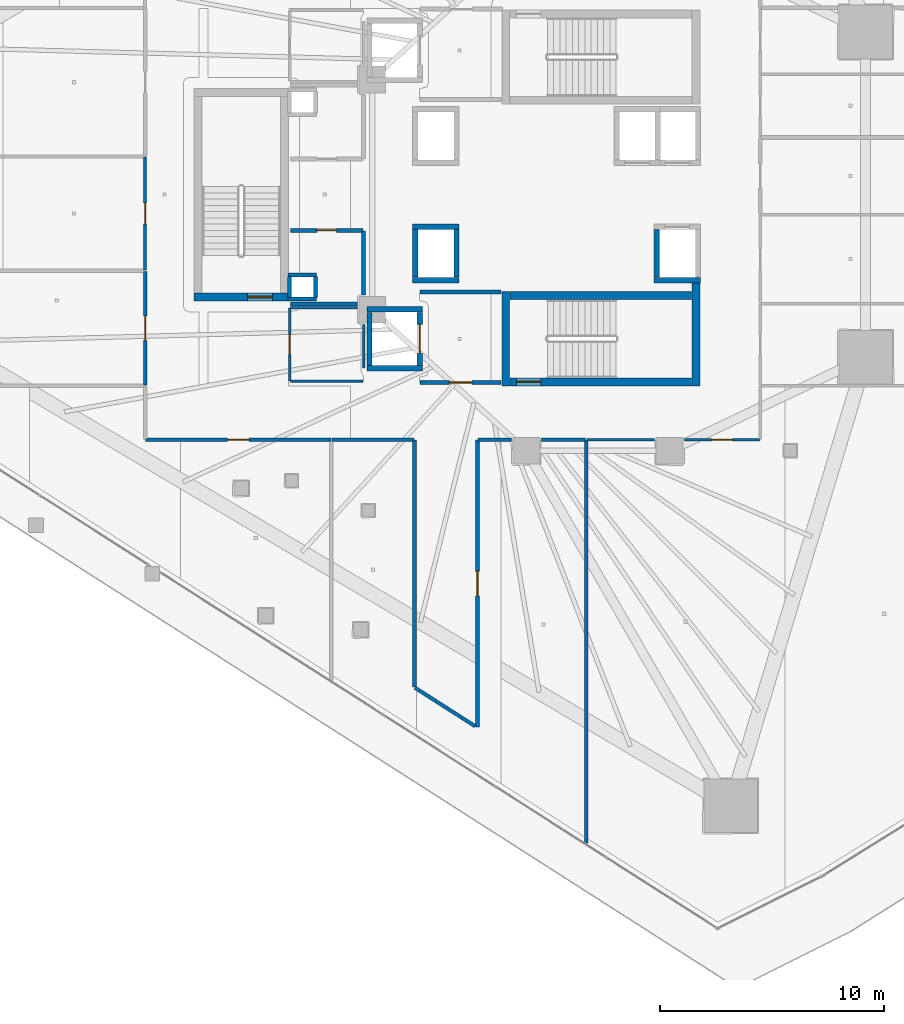
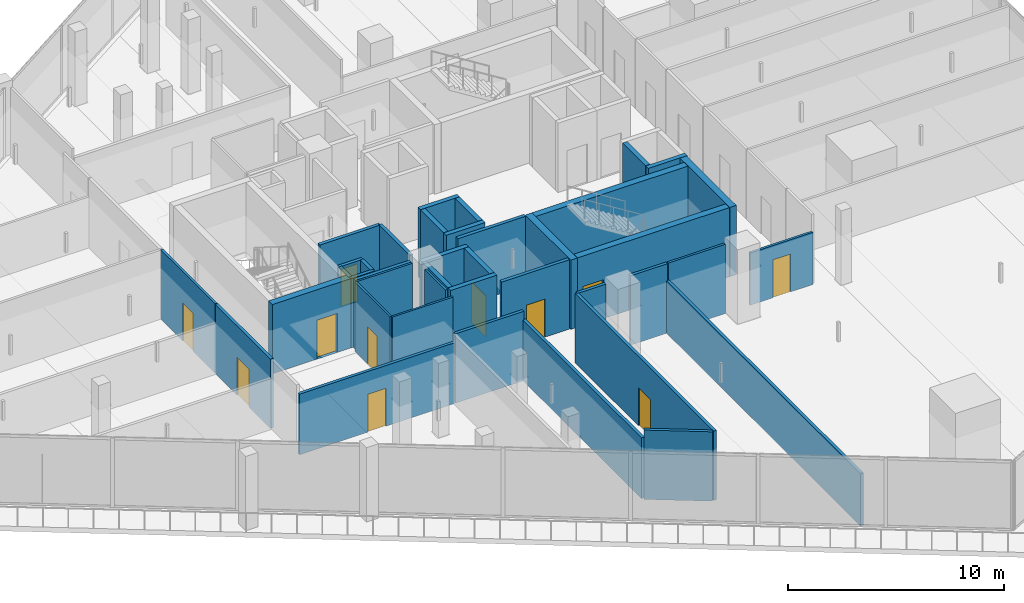
# One storey, part 28 of 44: 40 walls, 11 doors, 11 openings.
"""IFC4 building model written with IfcOpenShell, lengths in metres."""

from ifc_helpers import new_model, si_unit, direction, frame, frame_2d, origin, place, context, subcontext, project, spatial, rectangle, extrude, material, layer, layer_set, type_object, element, fill, save


model = new_model("IFC4")

# Units and contexts
model_context = context("Model", 3, precision=1e-05, world=origin(), true_north=direction((0.0, 1.0)))
body_context = subcontext(model_context, "Body", "Model", "MODEL_VIEW")
ifc_project = project(units=[si_unit("LENGTHUNIT", "METRE"), si_unit("AREAUNIT", "SQUARE_METRE"), si_unit("VOLUMEUNIT", "CUBIC_METRE"), si_unit("PLANEANGLEUNIT", "RADIAN"), si_unit("MASSUNIT", "GRAM", prefix="KILO")], contexts=[model_context])

# Site, building, storey
site_placement = place(None, origin())
site = spatial("IfcSite", under=ifc_project, at=site_placement, CompositionType="ELEMENT")
building_placement = place(site_placement, origin())
building = spatial("IfcBuilding", under=site, at=building_placement, Name="Qorvath Tower", CompositionType="ELEMENT")
storey_placement = place(building_placement, frame((0.0, 0.0, 57.60009765625)))
storey = spatial("IfcBuildingStorey", under=building, at=storey_placement, Name="L12", CompositionType="ELEMENT", Elevation=57.60009765625)

# Walls
ifc_material_1 = material(Name="Gypsum shaftliner on steel studs", Category="steel")
ifc_layer_1 = layer(ifc_material_1, 0.179931640625)
ifc_layer_set_1 = layer_set([ifc_layer_1], Name="FW-LOBBY")
wall_type_1 = type_object("IfcWallType", Name="FW-LOBBY", PredefinedType="PARTITIONING", material=ifc_layer_set_1)
for number, where, z_axis, x_axis, name in (
    (1, (-32.989990234375, -4.675048828125, 0.0), (0.0, 0.0, 1.0), (-1.0, 0.0, 0.0), "MEP Riser Shaft Enclosure Wall S-L12-S"),
    (2, (-34.260009765625, -3.594970703125, 0.0), (0.0, 0.0, 1.0), (1.0, 0.0, 0.0), "MEP Riser Shaft Enclosure Wall S-L12-N"),
):
    element("IfcWall", number, at=place(storey_placement, frame(where, z_axis=z_axis, x_axis=x_axis)), inside=storey, type_object=wall_type_1, Name=name, PredefinedType="PARTITIONING", context=body_context, shape_type="SweptSolid", body=[
        extrude(rectangle(XDim=1.27001953125, YDim=0.179931640625, at=frame_2d((0.635009765625, 0.0))), origin(), (0.0, 0.0, 1.0), 3.919921875),
    ])
for number, where, z_axis, x_axis, name in (
    (3, (-34.205078125, -4.610107421875, 0.0), (0.0, 0.0, 1.0), (0.0, 1.0, 0.0), "MEP Riser Shaft Enclosure Wall S-L12-W"),
    (4, (-33.044921875, -3.659912109375, 0.0), (0.0, 0.0, 1.0), (0.0, -1.0, 0.0), "MEP Riser Shaft Enclosure Wall S-L12-E"),
):
    element("IfcWall", number, at=place(storey_placement, frame(where, z_axis=z_axis, x_axis=x_axis)), inside=storey, type_object=wall_type_1, Name=name, PredefinedType="PARTITIONING", context=body_context, shape_type="SweptSolid", body=[
        extrude(rectangle(XDim=0.9501953125, YDim=0.179931640625, at=frame_2d((0.47509765625, 0.0))), origin(), (0.0, 0.0, 1.0), 3.919921875),
    ])

# Wall, opening, door
wall_1_placement = place(storey_placement, frame((-28.35498046875, -8.39990234375, 0.0), z_axis=(0.0, 0.0, 1.0), x_axis=(1.0, 0.0, 0.0)))
wall_1 = element("IfcWall", 5, at=wall_1_placement, inside=storey, type_object=wall_type_1, Name="Interior Partition IW-T1-L12-003", PredefinedType="PARTITIONING", context=body_context, shape_type="SweptSolid", body=[
    extrude(rectangle(XDim=3.6220703125, YDim=0.179931640625, at=frame_2d((1.81103515625, 0.0))), origin(), (0.0, 0.0, 1.0), 3.919921875),
])
opening_1_placement = place(wall_1_placement, frame((1.31103515625, 0.0, 0.0)))
opening_1 = element("IfcOpeningElement", 6, at=opening_1_placement, cuts=wall_1, Name="Opening D-T1-L12-20", PredefinedType="OPENING", context=body_context, shape_type="SweptSolid", body=[
    extrude(rectangle(XDim=1.0, YDim=2.14990234375, at=frame_2d((0.5, 1.074951171875))), frame((0.0, 0.10009765625, 0.0), z_axis=(0.0, -1.0, 0.0), x_axis=(1.0, 0.0, 0.0)), (0.0, 0.0, 1.0), 0.199951171875),
])
ifc_material_2 = material(Name="Painted galvanised hollow metal", Category="steel")
door_type_1 = type_object("IfcDoorType", Name="FD-60", OperationType="NOTDEFINED", PredefinedType="DOOR", material=ifc_material_2)
door_1_placement = place(opening_1_placement, origin())
door_1 = element("IfcDoor", 7, at=door_1_placement, inside=storey, type_object=door_type_1, Name="Lobby Fire Service Elevator South Door D-T1-L12-20", OperationType="SINGLE_SWING_RIGHT", OverallHeight=2.14990234375, OverallWidth=1.0, PredefinedType="DOOR", context=body_context, shape_type="SweptSolid", body=[
    extrude(rectangle(XDim=1.0, YDim=2.14990234375, at=frame_2d((0.5, 1.074951171875))), frame((0.0, 0.02490234375, 0.0), z_axis=(0.0, -1.0, 0.0), x_axis=(1.0, 0.0, 0.0)), (0.0, 0.0, 1.0), 0.050048828125),
])
fill(opening_1, door_1)

# Walls
wall_2_placement = place(storey_placement, frame((-24.73291015625, -4.35009765625, 0.0), z_axis=(0.0, 0.0, 1.0), x_axis=(-1.0, 0.0, 0.0)))
element("IfcWall", 8, at=wall_2_placement, inside=storey, type_object=wall_type_1, Name="Interior Partition IW-T1-L12-004", PredefinedType="PARTITIONING", context=body_context, shape_type="SweptSolid", body=[
    extrude(rectangle(XDim=3.6220703125, YDim=0.179931640625, at=frame_2d((1.81103515625, 0.0))), origin(), (0.0, 0.0, 1.0), 3.919921875),
])
wall_3_placement = place(storey_placement, frame((-34.15478515625, -4.89990234375, 0.0), z_axis=(0.0, 0.0, 1.0), x_axis=(1.0, 0.0, 0.0)))
element("IfcWall", 9, at=wall_3_placement, inside=storey, type_object=wall_type_1, Name="Interior Partition IW-T1-L12-016", PredefinedType="PARTITIONING", context=body_context, shape_type="SweptSolid", body=[
    extrude(rectangle(XDim=2.98974609375, YDim=0.179931640625, at=frame_2d((1.494873046875, 0.0))), origin(), (0.0, 0.0, 1.0), 3.919921875),
])
wall_4_placement = place(storey_placement, frame((-30.8798828125, -4.485107421875, 0.0), z_axis=(0.0, 0.0, 1.0), x_axis=(0.0, 1.0, 0.0)))
element("IfcWall", 10, at=wall_4_placement, inside=storey, type_object=wall_type_1, Name="Interior Partition IW-T1-L12-017", PredefinedType="PARTITIONING", context=body_context, shape_type="SweptSolid", body=[
    extrude(rectangle(XDim=2.860107421875, YDim=0.179931640625, at=frame_2d((1.43017578125, 0.0))), origin(), (0.0, 0.0, 1.0), 3.919921875),
])

# Wall, opening, door
wall_5_placement = place(storey_placement, frame((-30.90478515625, -1.60009765625, 0.0), z_axis=(0.0, 0.0, 1.0), x_axis=(-1.0, 0.0, 0.0)))
wall_5 = element("IfcWall", 11, at=wall_5_placement, inside=storey, type_object=wall_type_1, Name="Interior Partition IW-T1-L12-018", PredefinedType="PARTITIONING", context=body_context, shape_type="SweptSolid", body=[
    extrude(rectangle(XDim=3.25, YDim=0.179931640625, at=frame_2d((1.625, 0.0))), origin(), (0.0, 0.0, 1.0), 3.919921875),
])
opening_2_placement = place(wall_5_placement, frame((1.18505859375, 0.0, 0.0)))
opening_2 = element("IfcOpeningElement", 12, at=opening_2_placement, cuts=wall_5, Name="Opening D-T1-L12-04", PredefinedType="OPENING", context=body_context, shape_type="SweptSolid", body=[
    extrude(rectangle(XDim=0.8798828125, YDim=2.10009765625, at=frame_2d((0.43994140625, 1.050048828125))), frame((0.0, 0.10009765625, 0.0), z_axis=(0.0, -1.0, 0.0), x_axis=(1.0, 0.0, 0.0)), (0.0, 0.0, 1.0), 0.199951171875),
])
ifc_material_3 = material(Name="Painted galvanised hollow metal", Category="steel")
door_type_2 = type_object("IfcDoorType", Name="FD-60N", OperationType="NOTDEFINED", PredefinedType="DOOR", material=ifc_material_3)
door_2_placement = place(opening_2_placement, origin())
door_2 = element("IfcDoor", 13, at=door_2_placement, inside=storey, type_object=door_type_2, Name="Core electrical room L12 Door D-T1-L12-04", OperationType="SINGLE_SWING_RIGHT", OverallHeight=2.10009765625, OverallWidth=0.8798828125, PredefinedType="DOOR", context=body_context, shape_type="SweptSolid", body=[
    extrude(rectangle(XDim=0.8798828125, YDim=2.10009765625, at=frame_2d((0.43994140625, 1.050048828125))), frame((0.0, 0.02490234375, 0.0), z_axis=(0.0, -1.0, 0.0), x_axis=(1.0, 0.0, 0.0)), (0.0, 0.0, 1.0), 0.050048828125),
])
fill(opening_2, door_2)

ifc_material_4 = material(Name="Double acoustic gypsum board on steel studs", Category="steel")
ifc_layer_2 = layer(ifc_material_4, 0.159912109375)
ifc_layer_set_2 = layer_set([ifc_layer_2], Name="IW-ACOUSTIC-160")
wall_type_2 = type_object("IfcWallType", Name="IW-ACOUSTIC-160", PredefinedType="PARTITIONING", material=ifc_layer_set_2)
wall_6_placement = place(storey_placement, frame((-32.351806640625, -10.9580078125, 0.0), z_axis=(0.0, 0.0, 1.0), x_axis=(-1.0, 0.0, 0.0)))
wall_6 = element("IfcWall", 14, at=wall_6_placement, inside=storey, type_object=wall_type_2, Name="Interior Partition IW-T1-L12-034", PredefinedType="PARTITIONING", context=body_context, shape_type="SweptSolid", body=[
    extrude(rectangle(XDim=8.28125, YDim=0.159912109375, at=frame_2d((4.140625, 0.0))), origin(), (0.0, 0.0, 1.0), 3.432861328125),
])
opening_3_placement = place(wall_6_placement, frame((3.665771484375, 0.0, 0.0)))
opening_3 = element("IfcOpeningElement", 15, at=opening_3_placement, cuts=wall_6, Name="Opening D-T1-L12-08", PredefinedType="OPENING", context=body_context, shape_type="SweptSolid", body=[
    extrude(rectangle(XDim=0.949951171875, YDim=2.14990234375, at=frame_2d((0.47509765625, 1.074951171875))), frame((0.0, 0.08984375, 0.0), z_axis=(0.0, -1.0, 0.0), x_axis=(1.0, 0.0, 0.0)), (0.0, 0.0, 1.0), 0.179931640625),
])
ifc_material_5 = material(Name="Solid-core American white oak veneer", Category="wood")
door_type_3 = type_object("IfcDoorType", Name="D-01", OperationType="NOTDEFINED", PredefinedType="DOOR", material=ifc_material_5)
door_3_placement = place(opening_3_placement, origin())
door_3 = element("IfcDoor", 16, at=door_3_placement, inside=storey, type_object=door_type_3, Name="L12-05 Breakout Reading Alcove Door D-T1-L12-08", OperationType="SINGLE_SWING_RIGHT", OverallHeight=2.14990234375, OverallWidth=0.949951171875, PredefinedType="DOOR", context=body_context, shape_type="SweptSolid", body=[
    extrude(rectangle(XDim=0.949951171875, YDim=2.14990234375, at=frame_2d((0.47509765625, 1.074951171875))), frame((0.0, 0.02490234375, 0.0), z_axis=(0.0, -1.0, 0.0), x_axis=(1.0, 0.0, 0.0)), (0.0, 0.0, 1.0), 0.050048828125),
])
fill(opening_3, door_3)

# Wall
wall_7_placement = place(storey_placement, frame((-24.264892578125, -10.9580078125, 0.0), z_axis=(0.0, 0.0, 1.0), x_axis=(-1.0, 0.0, 0.0)))
element("IfcWall", 17, at=wall_7_placement, inside=storey, type_object=wall_type_2, Name="Interior Partition IW-T1-L12-038", PredefinedType="PARTITIONING", context=body_context, shape_type="SweptSolid", body=[
    extrude(rectangle(XDim=1.502197265625, YDim=0.159912109375, at=frame_2d((0.7509765625, 0.0))), origin(), (0.0, 0.0, 1.0), 3.919921875),
])

# Wall, opening, door
wall_8_placement = place(storey_placement, frame((-25.7919921875, -23.81396484375, 0.0), z_axis=(0.0, 0.0, 1.0), x_axis=(0.0, 1.0, 0.0)))
wall_8 = element("IfcWall", 18, at=wall_8_placement, inside=storey, type_object=wall_type_2, Name="Interior Partition IW-T1-L12-039", PredefinedType="PARTITIONING", context=body_context, shape_type="SweptSolid", body=[
    extrude(rectangle(XDim=12.8310546875, YDim=0.159912109375, at=frame_2d((6.41552734375, 0.0))), origin(), (0.0, 0.0, 1.0), 3.919921875),
])
opening_4_placement = place(wall_8_placement, frame((5.865478515625, 0.0, 0.0)))
opening_4 = element("IfcOpeningElement", 19, at=opening_4_placement, cuts=wall_8, Name="Opening D-T1-L12-09", PredefinedType="OPENING", context=body_context, shape_type="SweptSolid", body=[
    extrude(rectangle(XDim=1.10009765625, YDim=2.14990234375, at=frame_2d((0.550048828125, 1.074951171875))), frame((0.0, 0.08984375, 0.0), z_axis=(0.0, -1.0, 0.0), x_axis=(1.0, 0.0, 0.0)), (0.0, 0.0, 1.0), 0.179931640625),
])
ifc_material_6 = material(Name="Anodised aluminium acoustic framed glass", Category="aluminium")
door_type_4 = type_object("IfcDoorType", Name="D-03", OperationType="NOTDEFINED", PredefinedType="DOOR", material=ifc_material_6)
door_4_placement = place(opening_4_placement, origin())
door_4 = element("IfcDoor", 20, at=door_4_placement, inside=storey, type_object=door_type_4, Name="L12-06 Digital Visualization Suite Door D-T1-L12-09", OperationType="SINGLE_SWING_LEFT", OverallHeight=2.14990234375, OverallWidth=1.10009765625, PredefinedType="DOOR", context=body_context, shape_type="SweptSolid", body=[
    extrude(rectangle(XDim=1.10009765625, YDim=2.14990234375, at=frame_2d((0.550048828125, 1.074951171875))), frame((0.0, 0.02490234375, 0.0), z_axis=(0.0, -1.0, 0.0), x_axis=(1.0, 0.0, 0.0)), (0.0, 0.0, 1.0), 0.050048828125),
])
fill(opening_4, door_4)

# Walls
wall_9_placement = place(storey_placement, frame((-28.5869140625, -22.052490234375, 0.0), z_axis=(0.0, 0.0, 1.0), x_axis=(0.842617189406, -0.538513019451, 0.0)))
element("IfcWall", 21, at=wall_9_placement, inside=storey, type_object=wall_type_2, Name="Interior Partition IW-T1-L12-040", PredefinedType="PARTITIONING", context=body_context, shape_type="SweptSolid", body=[
    extrude(rectangle(XDim=3.191162109375, YDim=0.159912109375, at=frame_2d((1.595703125, 0.0))), origin(), (0.0, 0.0, 1.0), 3.919921875),
])
wall_10_placement = place(storey_placement, frame((-28.60791015625, -10.98291015625, 0.0), z_axis=(0.0, 0.0, 1.0), x_axis=(0.0, -1.0, 0.0)))
element("IfcWall", 22, at=wall_10_placement, inside=storey, type_object=wall_type_2, Name="Interior Partition IW-T1-L12-041", PredefinedType="PARTITIONING", context=body_context, shape_type="SweptSolid", body=[
    extrude(rectangle(XDim=11.03125, YDim=0.159912109375, at=frame_2d((5.515625, 0.0))), origin(), (0.0, 0.0, 1.0), 3.432861328125),
])
wall_11_placement = place(storey_placement, frame((-28.6328125, -10.9580078125, 0.0), z_axis=(0.0, 0.0, 1.0), x_axis=(-1.0, 0.0, 0.0)))
element("IfcWall", 23, at=wall_11_placement, inside=storey, type_object=wall_type_2, Name="Interior Partition IW-T1-L12-042", PredefinedType="PARTITIONING", context=body_context, shape_type="SweptSolid", body=[
    extrude(rectangle(XDim=3.660888671875, YDim=0.159912109375, at=frame_2d((1.83056640625, 0.0))), origin(), (0.0, 0.0, 1.0), 3.919921875),
])
wall_12_placement = place(storey_placement, frame((-20.935791015625, -28.9892578125, 0.0), z_axis=(0.0, 0.0, 1.0), x_axis=(0.0, 1.0, 0.0)))
element("IfcWall", 24, at=wall_12_placement, inside=storey, type_object=wall_type_2, Name="Interior Partition IW-T1-L12-043", PredefinedType="PARTITIONING", context=body_context, shape_type="SweptSolid", body=[
    extrude(rectangle(XDim=18.00634765625, YDim=0.159912109375, at=frame_2d((9.003173828125, 0.0))), origin(), (0.0, 0.0, 1.0), 2.956787109375),
])
wall_13_placement = place(storey_placement, frame((-20.960693359375, -10.9580078125, 0.0), z_axis=(0.0, 0.0, 1.0), x_axis=(-1.0, 0.0, 0.0)))
element("IfcWall", 25, at=wall_13_placement, inside=storey, type_object=wall_type_2, Name="Interior Partition IW-T1-L12-044", PredefinedType="PARTITIONING", context=body_context, shape_type="SweptSolid", body=[
    extrude(rectangle(XDim=1.974365234375, YDim=0.159912109375, at=frame_2d((0.9873046875, 0.0))), origin(), (0.0, 0.0, 1.0), 3.919921875),
])

# Wall, opening, door
wall_14_placement = place(storey_placement, frame((-40.657958984375, -8.51708984375, 0.0), z_axis=(0.0, 0.0, 1.0), x_axis=(0.0, 1.0, 0.0)))
wall_14 = element("IfcWall", 26, at=wall_14_placement, inside=storey, type_object=wall_type_2, Name="Interior Partition IW-T1-L12-058", PredefinedType="PARTITIONING", context=body_context, shape_type="SweptSolid", body=[
    extrude(rectangle(XDim=5.08935546875, YDim=0.159912109375, at=frame_2d((2.544677734375, 0.0))), origin(), (0.0, 0.0, 1.0), 3.919921875),
])
opening_5_placement = place(wall_14_placement, frame((1.99462890625, 0.0, 0.0)))
opening_5 = element("IfcOpeningElement", 27, at=opening_5_placement, cuts=wall_14, Name="Opening D-T1-L12-16", PredefinedType="OPENING", context=body_context, shape_type="SweptSolid", body=[
    extrude(rectangle(XDim=1.10009765625, YDim=2.14990234375, at=frame_2d((0.550048828125, 1.074951171875))), frame((0.0, 0.08984375, 0.0), z_axis=(0.0, -1.0, 0.0), x_axis=(1.0, 0.0, 0.0)), (0.0, 0.0, 1.0), 0.179931640625),
])
door_5_placement = place(opening_5_placement, origin())
door_5 = element("IfcDoor", 28, at=door_5_placement, inside=storey, type_object=door_type_4, Name="L12-13 Client Services Office Door D-T1-L12-16", OperationType="SINGLE_SWING_RIGHT", OverallHeight=2.14990234375, OverallWidth=1.10009765625, PredefinedType="DOOR", context=body_context, shape_type="SweptSolid", body=[
    extrude(rectangle(XDim=1.10009765625, YDim=2.14990234375, at=frame_2d((0.550048828125, 1.074951171875))), frame((0.0, 0.02490234375, 0.0), z_axis=(0.0, -1.0, 0.0), x_axis=(1.0, 0.0, 0.0)), (0.0, 0.0, 1.0), 0.050048828125),
])
fill(opening_5, door_5)

ifc_material_7 = material(Name="Gypsum board on metal studs with mineral wool", Category="gypsum")
ifc_layer_3 = layer(ifc_material_7, 0.125)
ifc_layer_set_3 = layer_set([ifc_layer_3], Name="IW-PART-125")
wall_type_3 = type_object("IfcWallType", Name="IW-PART-125", PredefinedType="PARTITIONING", material=ifc_layer_set_3)
wall_15_placement = place(storey_placement, frame((-13.1669921875, -10.9580078125, 0.0), z_axis=(0.0, 0.0, 1.0), x_axis=(-1.0, 0.0, 0.0)))
wall_15 = element("IfcWall", 29, at=wall_15_placement, inside=storey, type_object=wall_type_3, Name="Interior Partition IW-T1-L12-047", PredefinedType="PARTITIONING", context=body_context, shape_type="SweptSolid", body=[
    extrude(rectangle(XDim=3.367919921875, YDim=0.125, at=frame_2d((1.68408203125, 0.0))), origin(), (0.0, 0.0, 1.0), 2.956787109375),
])
opening_6_placement = place(wall_15_placement, frame((1.208984375, 0.0, 0.0)))
opening_6 = element("IfcOpeningElement", 30, at=opening_6_placement, cuts=wall_15, Name="Opening D-T1-L12-10", PredefinedType="OPENING", context=body_context, shape_type="SweptSolid", body=[
    extrude(rectangle(XDim=0.949951171875, YDim=2.14990234375, at=frame_2d((0.47509765625, 1.074951171875))), frame((0.0, 0.072509765625, 0.0), z_axis=(0.0, -1.0, 0.0), x_axis=(1.0, 0.0, 0.0)), (0.0, 0.0, 1.0), 0.14501953125),
])
door_6_placement = place(opening_6_placement, origin())
door_6 = element("IfcDoor", 31, at=door_6_placement, inside=storey, type_object=door_type_3, Name="L12-07 Quantitative Research Studio Door D-T1-L12-10", OperationType="SINGLE_SWING_RIGHT", OverallHeight=2.14990234375, OverallWidth=0.949951171875, PredefinedType="DOOR", context=body_context, shape_type="SweptSolid", body=[
    extrude(rectangle(XDim=0.949951171875, YDim=2.14990234375, at=frame_2d((0.47509765625, 1.074951171875))), frame((0.0, 0.02490234375, 0.0), z_axis=(0.0, -1.0, 0.0), x_axis=(1.0, 0.0, 0.0)), (0.0, 0.0, 1.0), 0.050048828125),
])
fill(opening_6, door_6)

# Wall
wall_16_placement = place(storey_placement, frame((-17.864990234375, -10.9580078125, 0.0), z_axis=(0.0, 0.0, 1.0), x_axis=(-1.0, 0.0, 0.0)))
element("IfcWall", 32, at=wall_16_placement, inside=storey, type_object=wall_type_3, Name="Interior Partition IW-T1-L12-048", PredefinedType="PARTITIONING", context=body_context, shape_type="SweptSolid", body=[
    extrude(rectangle(XDim=3.0380859375, YDim=0.125, at=frame_2d((1.51904296875, 0.0))), origin(), (0.0, 0.0, 1.0), 3.919921875),
])

# Wall, opening, door
wall_17_placement = place(storey_placement, frame((-40.657958984375, -3.369873046875, 0.0), z_axis=(0.0, 0.0, 1.0), x_axis=(0.0, 1.0, 0.0)))
wall_17 = element("IfcWall", 33, at=wall_17_placement, inside=storey, type_object=wall_type_3, Name="Interior Partition IW-T1-L12-061", PredefinedType="PARTITIONING", context=body_context, shape_type="SweptSolid", body=[
    extrude(rectangle(XDim=5.0478515625, YDim=0.125, at=frame_2d((2.52392578125, 0.0))), origin(), (0.0, 0.0, 1.0), 3.919921875),
])
opening_7_placement = place(wall_17_placement, frame((2.048828125, 0.0, 0.0)))
opening_7 = element("IfcOpeningElement", 34, at=opening_7_placement, cuts=wall_17, Name="Opening D-T1-L12-17", PredefinedType="OPENING", context=body_context, shape_type="SweptSolid", body=[
    extrude(rectangle(XDim=0.949951171875, YDim=2.14990234375, at=frame_2d((0.47509765625, 1.074951171875))), frame((0.0, 0.072509765625, 0.0), z_axis=(0.0, -1.0, 0.0), x_axis=(1.0, 0.0, 0.0)), (0.0, 0.0, 1.0), 0.14501953125),
])
door_7_placement = place(opening_7_placement, origin())
door_7 = element("IfcDoor", 35, at=door_7_placement, inside=storey, type_object=door_type_3, Name="L12-14 Project Collaboration Workspace Door D-T1-L12-17", OperationType="SINGLE_SWING_LEFT", OverallHeight=2.14990234375, OverallWidth=0.949951171875, PredefinedType="DOOR", context=body_context, shape_type="SweptSolid", body=[
    extrude(rectangle(XDim=0.949951171875, YDim=2.14990234375, at=frame_2d((0.47509765625, 1.074951171875))), frame((0.0, 0.02490234375, 0.0), z_axis=(0.0, -1.0, 0.0), x_axis=(1.0, 0.0, 0.0)), (0.0, 0.0, 1.0), 0.050048828125),
])
fill(opening_7, door_7)

# Walls
ifc_material_8 = material(Name="Moisture-resistant cement board on metal studs", Category="gypsum")
ifc_layer_4 = layer(ifc_material_8, 0.110107421875)
ifc_layer_set_4 = layer_set([ifc_layer_4], Name="IW-WC-110")
wall_type_4 = type_object("IfcWallType", Name="IW-WC-110", PredefinedType="PARTITIONING", material=ifc_layer_set_4)
wall_18_placement = place(storey_placement, frame((-34.15478515625, -8.35009765625, 0.0), z_axis=(0.0, 0.0, 1.0), x_axis=(1.0, 0.0, 0.0)))
element("IfcWall", 36, at=wall_18_placement, inside=storey, type_object=wall_type_4, Name="Interior Partition IW-T1-L12-009", PredefinedType="PARTITIONING", context=body_context, shape_type="SweptSolid", body=[
    extrude(rectangle(XDim=3.25, YDim=0.110107421875, at=frame_2d((1.625, 0.0))), origin(), (0.0, 0.0, 1.0), 3.919921875),
])
wall_19_placement = place(storey_placement, frame((-30.8798828125, -7.742919921875, 0.0), z_axis=(0.0, 0.0, 1.0), x_axis=(0.0, 1.0, 0.0)))
element("IfcWall", 37, at=wall_19_placement, inside=storey, type_object=wall_type_4, Name="Interior Partition IW-T1-L12-010", PredefinedType="PARTITIONING", context=body_context, shape_type="SweptSolid", body=[
    extrude(rectangle(XDim=1.927978515625, YDim=0.110107421875, at=frame_2d((0.9638671875, 0.0))), origin(), (0.0, 0.0, 1.0), 3.919921875),
])
wall_20_placement = place(storey_placement, frame((-31.1650390625, -5.050048828125, 0.0), z_axis=(0.0, 0.0, 1.0), x_axis=(-1.0, 0.0, 0.0)))
element("IfcWall", 38, at=wall_20_placement, inside=storey, type_object=wall_type_4, Name="Interior Partition IW-T1-L12-011", PredefinedType="PARTITIONING", context=body_context, shape_type="SweptSolid", body=[
    extrude(rectangle(XDim=2.98974609375, YDim=0.110107421875, at=frame_2d((1.494873046875, 0.0))), origin(), (0.0, 0.0, 1.0), 3.919921875),
])

# Wall, opening, door
wall_21_placement = place(storey_placement, frame((-34.179931640625, -5.074951171875, 0.0), z_axis=(0.0, 0.0, 1.0), x_axis=(0.0, -1.0, 0.0)))
wall_21 = element("IfcWall", 39, at=wall_21_placement, inside=storey, type_object=wall_type_4, Name="Interior Partition IW-T1-L12-012", PredefinedType="PARTITIONING", context=body_context, shape_type="SweptSolid", body=[
    extrude(rectangle(XDim=3.250244140625, YDim=0.110107421875, at=frame_2d((1.625, 0.0))), origin(), (0.0, 0.0, 1.0), 3.919921875),
])
opening_8_placement = place(wall_21_placement, frame((1.18505859375, 0.0, 0.0)))
opening_8 = element("IfcOpeningElement", 40, at=opening_8_placement, cuts=wall_21, Name="Opening D-T1-L12-02", PredefinedType="OPENING", context=body_context, shape_type="SweptSolid", body=[
    extrude(rectangle(XDim=0.8798828125, YDim=2.10009765625, at=frame_2d((0.43994140625, 1.050048828125))), frame((0.0, 0.06494140625, 0.0), z_axis=(0.0, -1.0, 0.0), x_axis=(1.0, 0.0, 0.0)), (0.0, 0.0, 1.0), 0.130126953125),
])
ifc_material_9 = material(Name="Solid-core oak with acoustic drop seal", Category="wood")
door_type_5 = type_object("IfcDoorType", Name="D-02", OperationType="NOTDEFINED", PredefinedType="DOOR", material=ifc_material_9)
door_8_placement = place(opening_8_placement, origin())
door_8 = element("IfcDoor", 41, at=door_8_placement, inside=storey, type_object=door_type_5, Name="Accessible WC South L12 Door D-T1-L12-02", OperationType="SINGLE_SWING_RIGHT", OverallHeight=2.10009765625, OverallWidth=0.8798828125, PredefinedType="DOOR", context=body_context, shape_type="SweptSolid", body=[
    extrude(rectangle(XDim=0.8798828125, YDim=2.10009765625, at=frame_2d((0.43994140625, 1.050048828125))), frame((0.0, 0.02490234375, 0.0), z_axis=(0.0, -1.0, 0.0), x_axis=(1.0, 0.0, 0.0)), (0.0, 0.0, 1.0), 0.050048828125),
])
fill(opening_8, door_8)

# Walls
ifc_material_10 = material(Name="Concrete C60/75", Category="concrete")
ifc_layer_5 = layer(ifc_material_10, 0.260009765625)
ifc_layer_set_5 = layer_set([ifc_layer_5], Name="SW-SHAFT")
wall_type_5 = type_object("IfcWallType", Name="SW-SHAFT", PredefinedType="SHEAR", material=ifc_layer_set_5)
for number, where, z_axis, x_axis, name in (
    (42, (-28.260009765625, -7.77001953125, 0.0), (0.0, 0.0, 1.0), (-1.0, 0.0, 0.0), "Hoistway Wall FSAE-2 L12 S"),
    (43, (-30.739990234375, -5.1298828125, 0.0), (0.0, 0.0, 1.0), (1.0, 0.0, 0.0), "Hoistway Wall FSAE-2 L12 N"),
):
    element("IfcWall", number, at=place(storey_placement, frame(where, z_axis=z_axis, x_axis=x_axis)), inside=storey, type_object=wall_type_5, Name=name, PredefinedType="SHEAR", context=body_context, shape_type="SweptSolid", body=[
        extrude(rectangle(XDim=2.47998046875, YDim=0.239990234375, at=frame_2d((1.239990234375, 0.0))), origin(), (0.0, 0.0, 1.0), 3.919921875),
    ])
wall_22_placement = place(storey_placement, frame((-30.6201171875, -7.637939453125, 0.0), z_axis=(0.0, 0.0, 1.0), x_axis=(0.0, 1.0, 0.0)))
element("IfcWall", 44, at=wall_22_placement, inside=storey, type_object=wall_type_5, Name="Hoistway Wall FSAE-2 L12 W", PredefinedType="SHEAR", context=body_context, shape_type="SweptSolid", body=[
    extrude(rectangle(XDim=2.3759765625, YDim=0.239990234375, at=frame_2d((1.18798828125, 0.0))), origin(), (0.0, 0.0, 1.0), 3.919921875),
])

# Wall, opening, door
wall_23_placement = place(storey_placement, frame((-28.3798828125, -5.261962890625, 0.0), z_axis=(0.0, 0.0, 1.0), x_axis=(0.0, -1.0, 0.0)))
wall_23 = element("IfcWall", 45, at=wall_23_placement, inside=storey, type_object=wall_type_5, Name="Hoistway Wall FSAE-2 L12 E", PredefinedType="SHEAR", context=body_context, shape_type="SweptSolid", body=[
    extrude(rectangle(XDim=2.3759765625, YDim=0.239990234375, at=frame_2d((1.18798828125, 0.0))), origin(), (0.0, 0.0, 1.0), 3.919921875),
])
opening_9_placement = place(wall_23_placement, frame((0.5380859375, 0.0, 0.0)))
opening_9 = element("IfcOpeningElement", 46, at=opening_9_placement, cuts=wall_23, Name="Opening LD-FSAE-2-L12", PredefinedType="OPENING", context=body_context, shape_type="SweptSolid", body=[
    extrude(rectangle(XDim=1.300048828125, YDim=2.300048828125, at=frame_2d((0.64990234375, 1.14990234375))), frame((0.0, 0.1298828125, 0.0), z_axis=(0.0, -1.0, 0.0), x_axis=(1.0, 0.0, 0.0)), (0.0, 0.0, 1.0), 0.260009765625),
])
ifc_material_11 = material(Name="Brushed stainless steel AISI 316", Category="steel")
door_type_6 = type_object("IfcDoorType", Name="LD-02", OperationType="NOTDEFINED", PredefinedType="DOOR", material=ifc_material_11)
door_9_placement = place(opening_9_placement, origin())
door_9 = element("IfcDoor", 47, at=door_9_placement, inside=storey, type_object=door_type_6, Name="Elevator Landing Sliding Door LD-FSAE-2-L12", OperationType="DOUBLE_DOOR_SLIDING", OverallHeight=2.300048828125, OverallWidth=1.300048828125, PredefinedType="DOOR", context=body_context, shape_type="SweptSolid", body=[
    extrude(rectangle(XDim=1.300048828125, YDim=2.300048828125, at=frame_2d((0.64990234375, 1.14990234375))), frame((0.0, 0.02490234375, 0.0), z_axis=(0.0, -1.0, 0.0), x_axis=(1.0, 0.0, 0.0)), (0.0, 0.0, 1.0), 0.050048828125),
])
fill(opening_9, door_9)

# Walls
for number, where, z_axis, x_axis, name in (
    (48, (-26.610107421875, -3.820068359375, 0.0), (0.0, 0.0, 1.0), (-1.0, 0.0, 0.0), "Hoistway Wall PS-2 L12 S"),
    (49, (-28.68994140625, -1.429931640625, 0.0), (0.0, 0.0, 1.0), (1.0, 0.0, 0.0), "Hoistway Wall PS-2 L12 N"),
):
    element("IfcWall", number, at=place(storey_placement, frame(where, z_axis=z_axis, x_axis=x_axis)), inside=storey, type_object=wall_type_5, Name=name, PredefinedType="SHEAR", context=body_context, shape_type="SweptSolid", body=[
        extrude(rectangle(XDim=2.079833984375, YDim=0.239990234375, at=frame_2d((1.0400390625, 0.0))), origin(), (0.0, 0.0, 1.0), 3.919921875),
    ])
for number, where, z_axis, x_axis, name in (
    (50, (-28.570068359375, -3.68798828125, 0.0), (0.0, 0.0, 1.0), (0.0, 1.0, 0.0), "Hoistway Wall PS-2 L12 W"),
    (51, (-26.72998046875, -1.56201171875, 0.0), (0.0, 0.0, 1.0), (0.0, -1.0, 0.0), "Hoistway Wall PS-2 L12 E"),
):
    element("IfcWall", number, at=place(storey_placement, frame(where, z_axis=z_axis, x_axis=x_axis)), inside=storey, type_object=wall_type_5, Name=name, PredefinedType="SHEAR", context=body_context, shape_type="SweptSolid", body=[
        extrude(rectangle(XDim=2.1259765625, YDim=0.239990234375, at=frame_2d((1.06298828125, 0.0))), origin(), (0.0, 0.0, 1.0), 3.919921875),
    ])
wall_24_placement = place(storey_placement, frame((-15.81005859375, -3.820068359375, 0.0), z_axis=(0.0, 0.0, 1.0), x_axis=(-1.0, 0.0, 0.0)))
element("IfcWall", 52, at=wall_24_placement, inside=storey, type_object=wall_type_5, Name="Hoistway Wall PL-2 L12 S", PredefinedType="SHEAR", context=body_context, shape_type="SweptSolid", body=[
    extrude(rectangle(XDim=2.079833984375, YDim=0.239990234375, at=frame_2d((1.0400390625, 0.0))), origin(), (0.0, 0.0, 1.0), 3.919921875),
])
wall_25_placement = place(storey_placement, frame((-17.77001953125, -3.68798828125, 0.0), z_axis=(0.0, 0.0, 1.0), x_axis=(0.0, 1.0, 0.0)))
element("IfcWall", 53, at=wall_25_placement, inside=storey, type_object=wall_type_5, Name="Hoistway Wall PL-2 L12 W", PredefinedType="SHEAR", context=body_context, shape_type="SweptSolid", body=[
    extrude(rectangle(XDim=2.1259765625, YDim=0.239990234375, at=frame_2d((1.06298828125, 0.0))), origin(), (0.0, 0.0, 1.0), 3.919921875),
])
ifc_material_12 = material(Name="Concrete C60/75", Category="concrete")
ifc_layer_6 = layer(ifc_material_12, 0.35009765625)
ifc_layer_set_6 = layer_set([ifc_layer_6], Name="SW-STAIR")
wall_type_6 = type_object("IfcWallType", Name="SW-STAIR", PredefinedType="SHEAR", material=ifc_layer_set_6)
wall_26_placement = place(storey_placement, frame((-24.52490234375, -4.340087890625, 0.0), z_axis=(0.0, 0.0, 1.0), x_axis=(0.0, -1.0, 0.0)))
element("IfcWall", 54, at=wall_26_placement, inside=storey, type_object=wall_type_6, Name="Stair TS2 Shear Wall L12 NEAR", PredefinedType="SHEAR", context=body_context, shape_type="SweptSolid", body=[
    extrude(rectangle(XDim=4.2099609375, YDim=0.35009765625, at=frame_2d((2.10498046875, 0.0))), origin(), (0.0, 0.0, 1.0), 3.919921875),
])
wall_27_placement = place(storey_placement, frame((-16.02490234375, -8.550048828125, 0.0), z_axis=(0.0, 0.0, 1.0), x_axis=(0.0, 1.0, 0.0)))
element("IfcWall", 55, at=wall_27_placement, inside=storey, type_object=wall_type_6, Name="Stair TS2 Shear Wall L12 FAR", PredefinedType="SHEAR", context=body_context, shape_type="SweptSolid", body=[
    extrude(rectangle(XDim=4.610107421875, YDim=0.35009765625, at=frame_2d((2.30517578125, 0.0))), origin(), (0.0, 0.0, 1.0), 3.919921875),
])

# Wall, opening, door
wall_28_placement = place(storey_placement, frame((-24.3349609375, -8.375, 0.0), z_axis=(0.0, 0.0, 1.0), x_axis=(1.0, 0.0, 0.0)))
wall_28 = element("IfcWall", 56, at=wall_28_placement, inside=storey, type_object=wall_type_6, Name="Stair TS2 Shear Wall L12 LEFT", PredefinedType="SHEAR", context=body_context, shape_type="SweptSolid", body=[
    extrude(rectangle(XDim=8.119873046875, YDim=0.35009765625, at=frame_2d((4.06005859375, 0.0))), origin(), (0.0, 0.0, 1.0), 3.919921875),
])
opening_10_placement = place(wall_28_placement, frame((0.280029296875, 0.0, 0.0)))
opening_10 = element("IfcOpeningElement", 57, at=opening_10_placement, cuts=wall_28, Name="Opening D-TS2-L12", PredefinedType="OPENING", context=body_context, shape_type="SweptSolid", body=[
    extrude(rectangle(XDim=1.10009765625, YDim=2.199951171875, at=frame_2d((0.550048828125, 1.10009765625))), frame((0.0, 0.18505859375, 0.0), z_axis=(0.0, -1.0, 0.0), x_axis=(1.0, 0.0, 0.0)), (0.0, 0.0, 1.0), 0.3701171875),
])
ifc_material_13 = material(Name="Painted galvanised hollow metal", Category="steel")
door_type_7 = type_object("IfcDoorType", Name="FD-90", OperationType="NOTDEFINED", PredefinedType="DOOR", material=ifc_material_13)
door_10_placement = place(opening_10_placement, origin())
door_10 = element("IfcDoor", 58, at=door_10_placement, inside=storey, type_object=door_type_7, Name="Stair TS2 Fire Door L12", OperationType="SINGLE_SWING_LEFT", OverallHeight=2.199951171875, OverallWidth=1.10009765625, PredefinedType="DOOR", context=body_context, shape_type="SweptSolid", body=[
    extrude(rectangle(XDim=1.10009765625, YDim=2.199951171875, at=frame_2d((0.550048828125, 1.10009765625))), frame((0.0, 0.02490234375, 0.0), z_axis=(0.0, -1.0, 0.0), x_axis=(1.0, 0.0, 0.0)), (0.0, 0.0, 1.0), 0.050048828125),
])
fill(opening_10, door_10)

# Wall
wall_29_placement = place(storey_placement, frame((-16.215087890625, -4.514892578125, 0.0), z_axis=(0.0, 0.0, 1.0), x_axis=(-1.0, 0.0, 0.0)))
element("IfcWall", 59, at=wall_29_placement, inside=storey, type_object=wall_type_6, Name="Stair TS2 Shear Wall L12 RIGHT", PredefinedType="SHEAR", context=body_context, shape_type="SweptSolid", body=[
    extrude(rectangle(XDim=8.119873046875, YDim=0.35009765625, at=frame_2d((4.06005859375, 0.0))), origin(), (0.0, 0.0, 1.0), 3.919921875),
])

# Wall, opening, door
wall_30_placement = place(storey_placement, frame((-38.4599609375, -4.574951171875, 0.0), z_axis=(0.0, 0.0, 1.0), x_axis=(1.0, 0.0, 0.0)))
wall_30 = element("IfcWall", 60, at=wall_30_placement, inside=storey, type_object=wall_type_6, Name="Stair TS3 Shear Wall L12 NEAR", PredefinedType="SHEAR", context=body_context, shape_type="SweptSolid", body=[
    extrude(rectangle(XDim=4.2099609375, YDim=0.35009765625, at=frame_2d((2.10498046875, 0.0))), origin(), (0.0, 0.0, 1.0), 3.919921875),
])
opening_11_placement = place(wall_30_placement, frame((2.389892578125, 0.0, 0.0)))
opening_11 = element("IfcOpeningElement", 61, at=opening_11_placement, cuts=wall_30, Name="Opening D-TS3-L12", PredefinedType="OPENING", context=body_context, shape_type="SweptSolid", body=[
    extrude(rectangle(XDim=1.10009765625, YDim=2.199951171875, at=frame_2d((0.550048828125, 1.10009765625))), frame((0.0, 0.18505859375, 0.0), z_axis=(0.0, -1.0, 0.0), x_axis=(1.0, 0.0, 0.0)), (0.0, 0.0, 1.0), 0.3701171875),
])
door_11_placement = place(opening_11_placement, origin())
door_11 = element("IfcDoor", 62, at=door_11_placement, inside=storey, type_object=door_type_7, Name="Stair TS3 Fire Door L12", OperationType="SINGLE_SWING_LEFT", OverallHeight=2.199951171875, OverallWidth=1.10009765625, PredefinedType="DOOR", context=body_context, shape_type="SweptSolid", body=[
    extrude(rectangle(XDim=1.10009765625, YDim=2.199951171875, at=frame_2d((0.550048828125, 1.10009765625))), frame((0.0, 0.02490234375, 0.0), z_axis=(0.0, -1.0, 0.0), x_axis=(1.0, 0.0, 0.0)), (0.0, 0.0, 1.0), 0.050048828125),
])
fill(opening_11, door_11)

save(model, "model.ifc")
